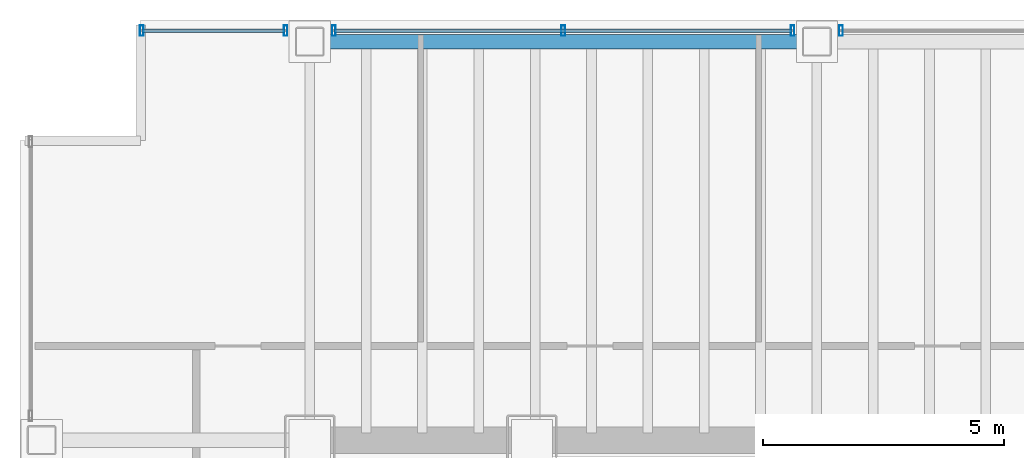
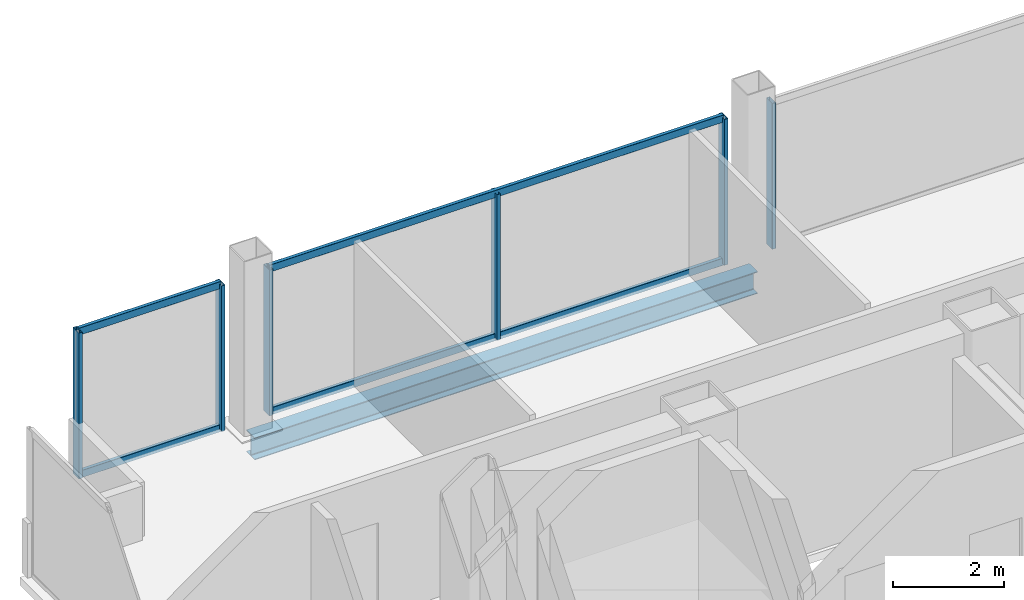
# One storey, part 13 of 20: 10 members, 1 beam, 3 elements without a shape of their own.
"""IFC4 building model written with IfcOpenShell, lengths in metres."""

from ifc_helpers import new_model, si_unit, direction, frame, origin, origin_2d, place, context, subcontext, project, spatial, hollow_rectangle, i_section, extrude, material, material_profile, profile_set, type_object, element, aggregate, save


model = new_model("IFC4")

# Units and contexts
model_context = context("Model", 3, precision=1e-05, world=origin(), true_north=direction((0.0, 1.0)))
body_context = subcontext(model_context, "Body", "Model", "MODEL_VIEW")
ifc_project = project(units=[si_unit("LENGTHUNIT", "METRE"), si_unit("AREAUNIT", "SQUARE_METRE"), si_unit("VOLUMEUNIT", "CUBIC_METRE"), si_unit("PLANEANGLEUNIT", "RADIAN"), si_unit("MASSUNIT", "GRAM", prefix="KILO")], contexts=[model_context])

# Site, building, storey
site_placement = place(None, origin())
site = spatial("IfcSite", under=ifc_project, at=site_placement, CompositionType="ELEMENT")
building_placement = place(site_placement, origin())
building = spatial("IfcBuilding", under=site, at=building_placement, Name="Noeulbin Bourse Tower", CompositionType="ELEMENT")
storey_placement = place(building_placement, frame((0.0, 0.0, 69.39990234375)))
storey = spatial("IfcBuildingStorey", under=building, at=storey_placement, Name="L17", CompositionType="ELEMENT", Elevation=69.39990234375)

# Beam
ifc_material_1 = material(Name="Steel S355", Category="steel")
ifc_material_profile_1 = material_profile(ifc_material_1, i_section(OverallWidth=0.300048828125, OverallDepth=0.488037109375, WebThickness=0.010986328125, FlangeThickness=0.01806640625, FilletRadius=0.02197265625, at=origin_2d()), Name="H-488x300x11x18", Category="LoadBearing")
ifc_profile_set_1 = profile_set([ifc_material_profile_1], Name="Steel S355")
beam_type = type_object("IfcBeamType", Name="BM-SPN-488", PredefinedType="SPANDREL", material=ifc_profile_set_1)
beam_placement = place(storey_placement, frame((13.5, 46.550048828125, -0.423828125), z_axis=(1.0, 0.0, 0.0), x_axis=(0.0, 1.0, 0.0)))
element("IfcBeam", 1, at=beam_placement, inside=storey, type_object=beam_type, Name="North Spandrel L17-1", PredefinedType="SPANDREL", context=body_context, shape_type="SweptSolid", body=[
    extrude(i_section(OverallWidth=0.300048828125, OverallDepth=0.488037109375, WebThickness=0.010986328125, FlangeThickness=0.01806640625, FilletRadius=0.02197265625, at=origin_2d()), origin(), (0.0, 0.0, 1.0), 10.5),
])

# Curtain wall, members
ifc_material_2 = material(Name="Dark Solar-Control Double Glazing", Category="glass")
curtain_wall_type = type_object("IfcCurtainWallType", Name="CW-SYS-2", PredefinedType="NOTDEFINED", material=ifc_material_2)
curtain_wall_1_placement = place(storey_placement, origin())
curtain_wall_1 = element("IfcCurtainWall", 2, at=curtain_wall_1_placement, inside=storey, type_object=curtain_wall_type, Name="Unitised Curtain Wall CW-L17-N-S1", PredefinedType="NOTDEFINED")
ifc_material_3 = material(Name="Anodised Aluminium 6063-T6", Category="aluminium")
ifc_material_profile_2 = material_profile(ifc_material_3, hollow_rectangle(XDim=0.074951171875, YDim=0.219970703125, WallThickness=0.0048828125, InnerFilletRadius=0.00244140625, OuterFilletRadius=0.0048828125, at=origin_2d()), Name="ALU-MULL-75x220x5", Category="LoadBearing")
ifc_profile_set_2 = profile_set([ifc_material_profile_2], Name="Anodised Aluminium 6063-T6")
member_type_1 = type_object("IfcMemberType", Name="CW-SYS-2-MUL", PredefinedType="MULLION", material=ifc_profile_set_2)
member_1_placement = place(storey_placement, frame((10.02001953125, 46.780029296875, -0.02001953125), z_axis=(0.0, 0.0, 1.0), x_axis=(1.0, 0.0, 0.0)))
member_1 = element("IfcMember", 3, at=member_1_placement, type_object=member_type_1, Name="Curtain Wall Mullion CW-L17-N-S1-M00", PredefinedType="MULLION", context=body_context, shape_type="SweptSolid", body=[
    extrude(hollow_rectangle(XDim=0.074951171875, YDim=0.219970703125, WallThickness=0.0048828125, InnerFilletRadius=0.00244140625, OuterFilletRadius=0.0048828125, at=origin_2d()), origin(), (0.0, 0.0, 1.0), 3.22021484375),
])
member_2_placement = place(storey_placement, frame((13.0, 46.780029296875, -0.02001953125), z_axis=(0.0, 0.0, 1.0), x_axis=(1.0, 0.0, 0.0)))
member_2 = element("IfcMember", 4, at=member_2_placement, type_object=member_type_1, Name="Curtain Wall Mullion CW-L17-N-S1-M01", PredefinedType="MULLION", context=body_context, shape_type="SweptSolid", body=[
    extrude(hollow_rectangle(XDim=0.074951171875, YDim=0.219970703125, WallThickness=0.0048828125, InnerFilletRadius=0.00244140625, OuterFilletRadius=0.0048828125, at=origin_2d()), origin(), (0.0, 0.0, 1.0), 3.22021484375),
])

curtain_wall_2_placement = place(storey_placement, origin())
curtain_wall_2 = element("IfcCurtainWall", 5, at=curtain_wall_2_placement, inside=storey, type_object=curtain_wall_type, Name="Unitised Curtain Wall CW-L17-N-S2", PredefinedType="NOTDEFINED")
member_3_placement = place(storey_placement, frame((14.0, 46.780029296875, -0.02001953125), z_axis=(0.0, 0.0, 1.0), x_axis=(1.0, 0.0, 0.0)))
member_3 = element("IfcMember", 6, at=member_3_placement, type_object=member_type_1, Name="Curtain Wall Mullion CW-L17-N-S2-M00", PredefinedType="MULLION", context=body_context, shape_type="SweptSolid", body=[
    extrude(hollow_rectangle(XDim=0.074951171875, YDim=0.219970703125, WallThickness=0.0048828125, InnerFilletRadius=0.00244140625, OuterFilletRadius=0.0048828125, at=origin_2d()), origin(), (0.0, 0.0, 1.0), 3.22021484375),
])
member_4_placement = place(storey_placement, frame((18.75, 46.780029296875, -0.02001953125), z_axis=(0.0, 0.0, 1.0), x_axis=(1.0, 0.0, 0.0)))
member_4 = element("IfcMember", 7, at=member_4_placement, type_object=member_type_1, Name="Curtain Wall Mullion CW-L17-N-S2-M01", PredefinedType="MULLION", context=body_context, shape_type="SweptSolid", body=[
    extrude(hollow_rectangle(XDim=0.074951171875, YDim=0.219970703125, WallThickness=0.0048828125, InnerFilletRadius=0.00244140625, OuterFilletRadius=0.0048828125, at=origin_2d()), origin(), (0.0, 0.0, 1.0), 3.22021484375),
])
member_5_placement = place(storey_placement, frame((23.5, 46.780029296875, -0.02001953125), z_axis=(0.0, 0.0, 1.0), x_axis=(1.0, 0.0, 0.0)))
member_5 = element("IfcMember", 8, at=member_5_placement, type_object=member_type_1, Name="Curtain Wall Mullion CW-L17-N-S2-M02", PredefinedType="MULLION", context=body_context, shape_type="SweptSolid", body=[
    extrude(hollow_rectangle(XDim=0.074951171875, YDim=0.219970703125, WallThickness=0.0048828125, InnerFilletRadius=0.00244140625, OuterFilletRadius=0.0048828125, at=origin_2d()), origin(), (0.0, 0.0, 1.0), 3.22021484375),
])

# Curtain wall, member
curtain_wall_3_placement = place(storey_placement, origin())
curtain_wall_3 = element("IfcCurtainWall", 9, at=curtain_wall_3_placement, inside=storey, type_object=curtain_wall_type, Name="Unitised Curtain Wall CW-L17-N-S3", PredefinedType="NOTDEFINED")
member_6_placement = place(storey_placement, frame((24.5, 46.780029296875, -0.02001953125), z_axis=(0.0, 0.0, 1.0), x_axis=(1.0, 0.0, 0.0)))
member_6 = element("IfcMember", 10, at=member_6_placement, type_object=member_type_1, Name="Curtain Wall Mullion CW-L17-N-S3-M00", PredefinedType="MULLION", context=body_context, shape_type="SweptSolid", body=[
    extrude(hollow_rectangle(XDim=0.074951171875, YDim=0.219970703125, WallThickness=0.0048828125, InnerFilletRadius=0.00244140625, OuterFilletRadius=0.0048828125, at=origin_2d()), origin(), (0.0, 0.0, 1.0), 3.22021484375),
])
aggregate(curtain_wall_3, [member_6])

# Member
ifc_material_profile_3 = material_profile(ifc_material_3, hollow_rectangle(XDim=0.074951171875, YDim=0.159912109375, WallThickness=0.0048828125, InnerFilletRadius=0.00244140625, OuterFilletRadius=0.0048828125, at=origin_2d()), Name="ALU-TRAN-75x160x5", Category="LoadBearing")
ifc_profile_set_3 = profile_set([ifc_material_profile_3], Name="Anodised Aluminium 6063-T6")
member_type_2 = type_object("IfcMemberType", Name="CW-SYS-2-TRN", PredefinedType="USERDEFINED", material=ifc_profile_set_3)
member_7_placement = place(storey_placement, frame((10.030029296875, 46.780029296875, 0.010009765625), z_axis=(1.0, 0.0, 0.0), x_axis=(0.0, 1.0, 0.0)))
member_7 = element("IfcMember", 11, at=member_7_placement, type_object=member_type_2, Name="Curtain Wall Transom CW-L17-N-S1-T00", ObjectType="TRANSOM", PredefinedType="USERDEFINED", context=body_context, shape_type="SweptSolid", body=[
    extrude(hollow_rectangle(XDim=0.074951171875, YDim=0.159912109375, WallThickness=0.0048828125, InnerFilletRadius=0.00244140625, OuterFilletRadius=0.0048828125, at=origin_2d()), origin(), (0.0, 0.0, 1.0), 2.9599609375),
])

member_8_placement = place(storey_placement, frame((10.030029296875, 46.780029296875, 3.170166015625), z_axis=(1.0, 0.0, 0.0), x_axis=(0.0, 1.0, 0.0)))
member_8 = element("IfcMember", 12, at=member_8_placement, type_object=member_type_2, Name="Curtain Wall Transom CW-L17-N-S1-T01", ObjectType="TRANSOM", PredefinedType="USERDEFINED", context=body_context, shape_type="SweptSolid", body=[
    extrude(hollow_rectangle(XDim=0.074951171875, YDim=0.159912109375, WallThickness=0.0048828125, InnerFilletRadius=0.00244140625, OuterFilletRadius=0.0048828125, at=origin_2d()), origin(), (0.0, 0.0, 1.0), 2.9599609375),
])

aggregate(curtain_wall_1, [member_1, member_2, member_7, member_8])

member_9_placement = place(storey_placement, frame((14.010009765625, 46.780029296875, 0.010009765625), z_axis=(1.0, 0.0, 0.0), x_axis=(0.0, 1.0, 0.0)))
member_9 = element("IfcMember", 13, at=member_9_placement, type_object=member_type_2, Name="Curtain Wall Transom CW-L17-N-S2-T00", ObjectType="TRANSOM", PredefinedType="USERDEFINED", context=body_context, shape_type="SweptSolid", body=[
    extrude(hollow_rectangle(XDim=0.074951171875, YDim=0.159912109375, WallThickness=0.0048828125, InnerFilletRadius=0.00244140625, OuterFilletRadius=0.0048828125, at=origin_2d()), origin(), (0.0, 0.0, 1.0), 9.47998046875),
])

member_10_placement = place(storey_placement, frame((14.010009765625, 46.780029296875, 3.170166015625), z_axis=(1.0, 0.0, 0.0), x_axis=(0.0, 1.0, 0.0)))
member_10 = element("IfcMember", 14, at=member_10_placement, type_object=member_type_2, Name="Curtain Wall Transom CW-L17-N-S2-T01", ObjectType="TRANSOM", PredefinedType="USERDEFINED", context=body_context, shape_type="SweptSolid", body=[
    extrude(hollow_rectangle(XDim=0.074951171875, YDim=0.159912109375, WallThickness=0.0048828125, InnerFilletRadius=0.00244140625, OuterFilletRadius=0.0048828125, at=origin_2d()), origin(), (0.0, 0.0, 1.0), 9.47998046875),
])

aggregate(curtain_wall_2, [member_3, member_4, member_5, member_9, member_10])

save(model, "model.ifc")
